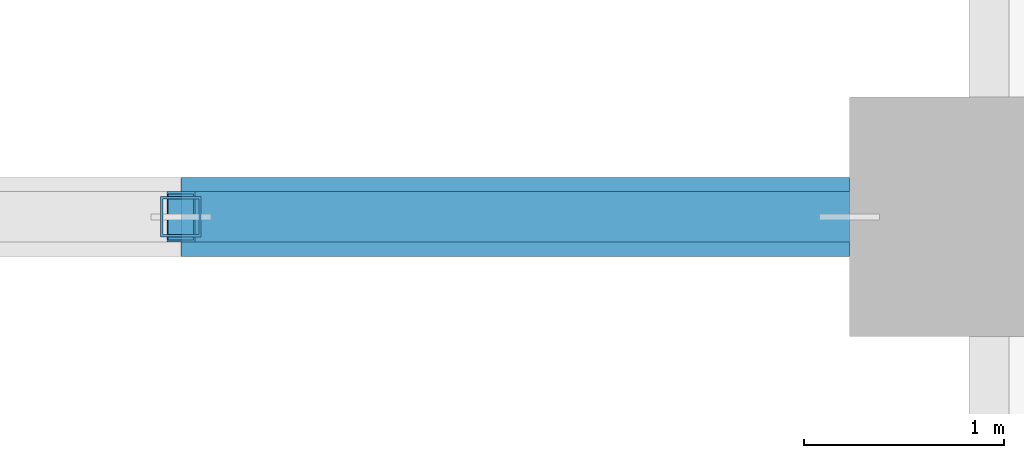
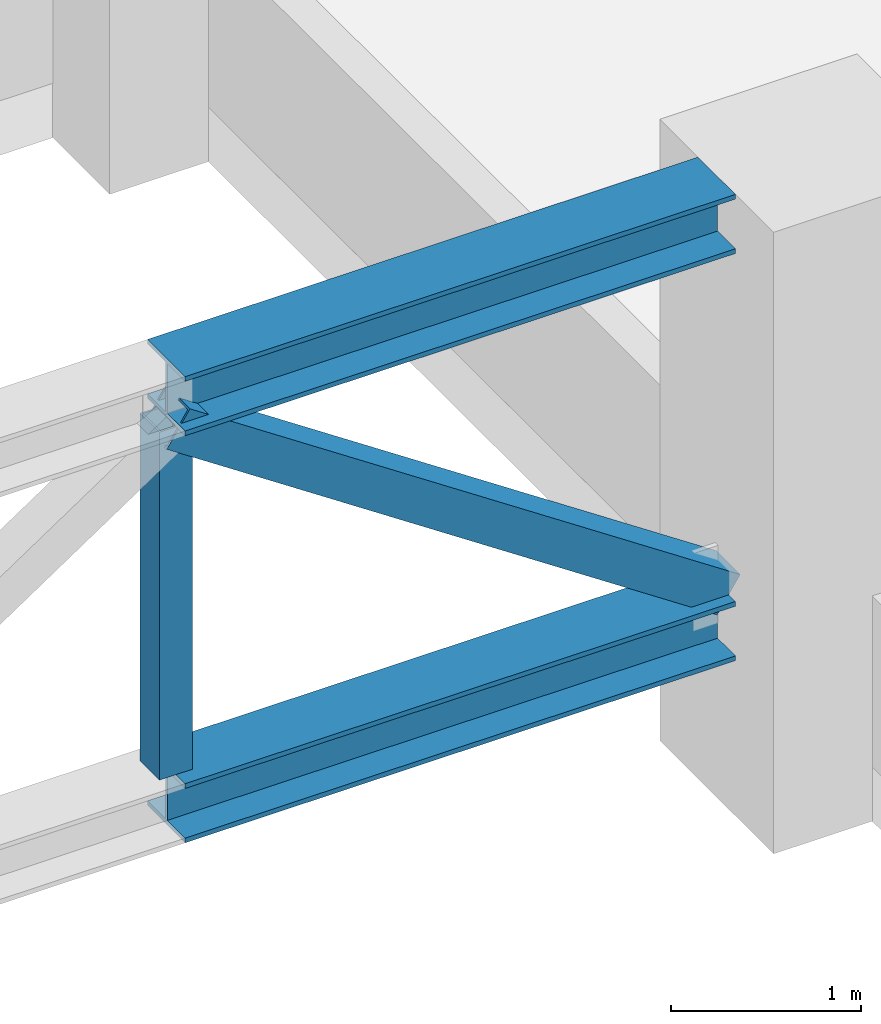
# One storey, part 8 of 24: 4 members.
"""IFC4 building model written with IfcOpenShell, lengths in metres."""

import ifcopenshell
import ifcopenshell.guid

model = None  # the IFC model being written
_history = None  # IfcOwnerHistory: only IFC2X3 demands one
_inside = {}  # id of a spatial element -> (the spatial element, [elements in it])
_under = {}  # id of a project, library or spatial element -> (it, [spatial elements below it])
_declared = {}  # id of a project -> (the project, [libraries it declares])
_typed = {}  # id of a type object -> (the type object, [elements of that type])
_made_of = {}  # id of a material, layer set ... -> (it, [elements and type objects made of it])


def new_model(schema):
    """Start an empty IFC model of exactly this schema.

    Asked for "IFC4X3", IfcOpenShell would pick the latest addendum, in which some entities
    have other attributes; the version numbers below select the first issue.
    IFC2X3 requires an IfcOwnerHistory on every rooted entity: one is made here for all.
    """
    global model, _history
    if schema == "IFC4X3":
        model = ifcopenshell.file(schema_version=(4, 3, 0, 0))
    else:
        model = ifcopenshell.file(schema=schema)
    _inside.clear()
    _under.clear()
    _declared.clear()
    _typed.clear()
    _made_of.clear()
    _history = None
    if model.schema == "IFC2X3":
        org = make("IfcOrganization", Name="unknown")
        user = make(
            "IfcPersonAndOrganization",
            ThePerson=make("IfcPerson", FamilyName="unknown"),
            TheOrganization=org,
        )
        app = make(
            "IfcApplication",
            ApplicationDeveloper=org,
            Version="unknown",
            ApplicationFullName="unknown",
            ApplicationIdentifier="unknown",
        )
        _history = make(
            "IfcOwnerHistory",
            OwningUser=user,
            OwningApplication=app,
            ChangeAction="ADDED",
            CreationDate=0,
        )
    return model


def make(cls, **values):
    """One entity of the class cls with the attributes given. An attribute that is None is left unset."""
    return model.create_entity(
        cls, **{name: value for name, value in values.items() if value is not None}
    )


def rooted(cls, **values):
    """An entity with a GlobalId (a new one), such as an element, a storey or a relation."""
    return make(cls, GlobalId=ifcopenshell.guid.new(), OwnerHistory=_history, **values)


def si_unit(unit_type, name, prefix=None):
    """IfcSIUnit, for example si_unit("LENGTHUNIT", "METRE", prefix="MILLI")."""
    return make("IfcSIUnit", UnitType=unit_type, Prefix=prefix, Name=name)


def assignment(units):
    """IfcUnitAssignment: the units of a project."""
    return None if units is None else make("IfcUnitAssignment", Units=units)


def point(xyz):
    """IfcCartesianPoint."""
    return None if xyz is None else make("IfcCartesianPoint", Coordinates=xyz)


def direction(xyz):
    """IfcDirection."""
    return None if xyz is None else make("IfcDirection", DirectionRatios=xyz)


def frame(location, z_axis=None, x_axis=None):
    """IfcAxis2Placement3D, a coordinate frame: its origin and axes. An axis left out is left unset."""
    return make(
        "IfcAxis2Placement3D",
        Location=point(location),
        Axis=direction(z_axis),
        RefDirection=direction(x_axis),
    )


def frame_2d(location, x_axis=None):
    """IfcAxis2Placement2D, a coordinate frame in the plane: its origin and x axis."""
    return make(
        "IfcAxis2Placement2D", Location=point(location), RefDirection=direction(x_axis)
    )


def origin():
    """The frame at (0, 0, 0) with its axes left unset."""
    return frame((0.0, 0.0, 0.0))


def origin_2d():
    """The frame at (0, 0) in the plane with its x axis left unset."""
    return frame_2d((0.0, 0.0))


def place(relative_to, where):
    """IfcLocalPlacement: puts the frame where relative to a parent placement (None: the world)."""
    return make(
        "IfcLocalPlacement", PlacementRelTo=relative_to, RelativePlacement=where
    )


def context(
    kind, dimensions, precision=None, world=None, true_north=None, identifier=None
):
    """IfcGeometricRepresentationContext, for example the 3D "Model" context."""
    return make(
        "IfcGeometricRepresentationContext",
        ContextIdentifier=identifier,
        ContextType=kind,
        CoordinateSpaceDimension=dimensions,
        Precision=precision,
        WorldCoordinateSystem=world,
        TrueNorth=true_north,
    )


def subcontext(parent, identifier, kind, view, scale=None):
    """IfcGeometricRepresentationSubContext, for example "Body" below "Model"."""
    return make(
        "IfcGeometricRepresentationSubContext",
        ContextIdentifier=identifier,
        ContextType=kind,
        ParentContext=parent,
        TargetScale=scale,
        TargetView=view,
    )


def project(units=None, contexts=None):
    """IfcProject with its units and contexts."""
    return rooted(
        "IfcProject",
        Name="project",
        RepresentationContexts=contexts,
        UnitsInContext=assignment(units),
    )


def spatial(cls, under=None, at=None, **own):
    """A site, building, storey or space (cls), placed at a placement, below another one or the project."""
    s = rooted(cls, ObjectPlacement=at, **own)
    if under is not None:
        _under.setdefault(under.id(), (under, []))[1].append(s)
    return s


def profile(cls, at=None, kind="AREA", **sizes):
    """A parametric profile (cls). Its sizes go by their IFC names, for example OverallWidth=200.0."""
    return make(cls, ProfileType=kind, Position=at, **sizes)


def hollow_rectangle(**sizes):
    """IfcRectangleHollowProfileDef."""
    return profile("IfcRectangleHollowProfileDef", **sizes)


def i_section(**sizes):
    """IfcIShapeProfileDef."""
    return profile("IfcIShapeProfileDef", **sizes)


def extrude(swept, where, along, depth):
    """IfcExtrudedAreaSolid: the profile swept, set in the frame where, extruded along a direction by depth."""
    return make(
        "IfcExtrudedAreaSolid",
        SweptArea=swept,
        Position=where,
        ExtrudedDirection=direction(along),
        Depth=depth,
    )


def shape(context_of_items, identifier, shape_type, items):
    """IfcShapeRepresentation: the items that make up one representation, for example the "Body"."""
    return make(
        "IfcShapeRepresentation",
        ContextOfItems=context_of_items,
        RepresentationIdentifier=identifier,
        RepresentationType=shape_type,
        Items=items,
    )


def material(Name=None, Category=None):
    """IfcMaterial."""
    return make("IfcMaterial", Name=Name, Category=Category)


def material_profile(
    of_material, cross_section, Name=None, Category=None, Priority=None
):
    """IfcMaterialProfile: a cross section and its material."""
    return make(
        "IfcMaterialProfile",
        Name=Name,
        Material=of_material,
        Profile=cross_section,
        Priority=Priority,
        Category=Category,
    )


def profile_set(profiles, Name=None, composite=None):
    """IfcMaterialProfileSet."""
    return make(
        "IfcMaterialProfileSet",
        Name=Name,
        MaterialProfiles=profiles,
        CompositeProfile=composite,
    )


def made_of(thing, what):
    """Note that an element or type object is made of a material, layer set ...; save() writes the relation."""
    if what is not None:
        _made_of.setdefault(what.id(), (what, []))[1].append(thing)
    return thing


def type_object(cls, material=None, **own):
    """A type object (cls), such as IfcWallType, which elements share."""
    return made_of(rooted(cls, **own), material)


def element(
    cls,
    number,
    at=None,
    inside=None,
    cuts=None,
    type_object=None,
    material=None,
    context=None,
    identifier="Body",
    shape_type=None,
    held_by="IfcProductDefinitionShape",
    body=None,
    shapes=None,
    **own,
):
    """One element of the class cls, such as IfcWall. Its Tag is "e" and its number.

    at: its placement. inside: the storey or other place that contains it. cuts: it is an
    opening in that element (IfcRelVoidsElement). A single representation is given by context,
    identifier, shape_type and body (its items); several are given by shapes. held_by: the class
    of the entity that holds the representations. save() writes the other relations.
    """
    e = rooted(cls, Tag="e%d" % number, ObjectPlacement=at, **own)
    if body is not None:
        shapes = [shape(context, identifier, shape_type, body)]
    if shapes is not None:
        e.Representation = make(held_by, Representations=shapes)
    if inside is not None:
        _inside.setdefault(inside.id(), (inside, []))[1].append(e)
    if cuts is not None:
        rooted(
            "IfcRelVoidsElement", RelatingBuildingElement=cuts, RelatedOpeningElement=e
        )
    if type_object is not None:
        _typed.setdefault(type_object.id(), (type_object, []))[1].append(e)
    return made_of(e, material)


def aggregate(whole, parts):
    """IfcRelAggregates: a whole, such as a stair, and the parts it consists of."""
    return rooted("IfcRelAggregates", RelatingObject=whole, RelatedObjects=parts)


def save(model, path):
    """Write the relations noted so far, then the file.

    IfcRelAggregates (storeys below a building ...), IfcRelContainedInSpatialStructure (elements
    in a storey), IfcRelDefinesByType, IfcRelAssociatesMaterial and IfcRelDeclares: one each for
    every whole, place, type object, material and project.
    """
    for whole, parts in _under.values():
        aggregate(whole, parts)
    for where, things in _inside.values():
        rooted(
            "IfcRelContainedInSpatialStructure",
            RelatedElements=things,
            RelatingStructure=where,
        )
    for kind, things in _typed.values():
        rooted("IfcRelDefinesByType", RelatedObjects=things, RelatingType=kind)
    for what, things in _made_of.values():
        rooted("IfcRelAssociatesMaterial", RelatedObjects=things, RelatingMaterial=what)
    for by, libraries in _declared.values():
        rooted("IfcRelDeclares", RelatingContext=by, RelatedDefinitions=libraries)
    model.write(path)


model = new_model("IFC4")

# Units and contexts
model_context = context("Model", 3, precision=1e-05, world=origin(), true_north=direction((0.0, 1.0)))
body_context = subcontext(model_context, "Body", "Model", "MODEL_VIEW")
ifc_project = project(units=[si_unit("LENGTHUNIT", "METRE"), si_unit("AREAUNIT", "SQUARE_METRE"), si_unit("VOLUMEUNIT", "CUBIC_METRE"), si_unit("PLANEANGLEUNIT", "RADIAN"), si_unit("MASSUNIT", "GRAM", prefix="KILO")], contexts=[model_context])

# Site, building, storey
site_placement = place(None, origin())
site = spatial("IfcSite", under=ifc_project, at=site_placement, CompositionType="ELEMENT")
building_placement = place(site_placement, origin())
building = spatial("IfcBuilding", under=site, at=building_placement, Name="Ostrander Bayou Hotel Tower", CompositionType="ELEMENT")
storey_placement = place(building_placement, frame((0.0, 0.0, 6.0)))
storey = spatial("IfcBuildingStorey", under=building, at=storey_placement, Name="L01", CompositionType="ELEMENT", Elevation=6.0)

# Members
ifc_material_1 = material(Name="Steel ASTM A992", Category="steel")
ifc_material_profile_1 = material_profile(ifc_material_1, i_section(OverallWidth=0.3955078125, OverallDepth=0.38037109375, WebThickness=0.01904296875, FlangeThickness=0.0302734375, at=origin_2d()))
ifc_profile_set_1 = profile_set([ifc_material_profile_1], Name="Steel ASTM A992")
member_type_1 = type_object("IfcMemberType", Name="BR1 ballroom truss chord W14x159", PredefinedType="CHORD", material=ifc_profile_set_1)
for number, where, z_axis, x_axis, name in (
    (1, (-17.949951171875, -36.39990234375, 0.840087890625), (1.0, 0.0, 0.0), (0.0, 1.0, 0.0), "BR1 T2 B8"),
    (2, (-17.949951171875, -36.39990234375, 3.459716796875), (1.0, 0.0, 0.0), (0.0, 1.0, 0.0), "BR1 T2 T8"),
):
    element("IfcMember", number, at=place(storey_placement, frame(where, z_axis=z_axis, x_axis=x_axis)), inside=storey, type_object=member_type_1, Name=name, PredefinedType="CHORD", context=body_context, shape_type="SweptSolid", body=[
        extrude(i_section(OverallWidth=0.3955078125, OverallDepth=0.38037109375, WebThickness=0.01904296875, FlangeThickness=0.0302734375, at=origin_2d()), origin(), (0.0, 0.0, 1.0), 3.349853515625),
    ])
ifc_material_2 = material(Name="Steel ASTM A500 Gr C", Category="steel")
ifc_material_profile_2 = material_profile(ifc_material_2, hollow_rectangle(XDim=0.25390625, YDim=0.25390625, WallThickness=0.01171875, at=origin_2d()))
ifc_profile_set_2 = profile_set([ifc_material_profile_2], Name="Steel ASTM A500 Gr C")
member_type_2 = type_object("IfcMemberType", Name="BR2 ballroom truss diagonal HSS10x10x1/2", PredefinedType="BRACE", material=ifc_profile_set_2)
member_1_placement = place(storey_placement, frame((-14.60009765625, -36.39990234375, 1.030517578125), z_axis=(-0.831387846986, 0.0, 0.555692583974), x_axis=(0.0, -1.0, 0.0)))
element("IfcMember", 3, at=member_1_placement, inside=storey, type_object=member_type_2, Name="BR2 T2 D8", PredefinedType="BRACE", context=body_context, shape_type="SweptSolid", body=[
    extrude(hollow_rectangle(XDim=0.25390625, YDim=0.25390625, WallThickness=0.01171875, at=origin_2d()), origin(), (0.0, 0.0, 1.0), 4.029296875),
])
ifc_material_3 = material(Name="Steel ASTM A500 Gr C", Category="steel")
ifc_material_profile_3 = material_profile(ifc_material_3, hollow_rectangle(XDim=0.203125, YDim=0.203125, WallThickness=0.01171875, at=origin_2d()))
ifc_profile_set_3 = profile_set([ifc_material_profile_3], Name="Steel ASTM A500 Gr C")
member_type_3 = type_object("IfcMemberType", Name="BR3 ballroom truss post HSS8x8x1/2", PredefinedType="POST", material=ifc_profile_set_3)
member_2_placement = place(storey_placement, frame((-17.949951171875, -36.39990234375, 1.030517578125), z_axis=(0.0, 0.0, 1.0), x_axis=(1.0, 0.0, 0.0)))
element("IfcMember", 4, at=member_2_placement, inside=storey, type_object=member_type_3, Name="BR3 T2 P7", PredefinedType="POST", context=body_context, shape_type="SweptSolid", body=[
    extrude(hollow_rectangle(XDim=0.203125, YDim=0.203125, WallThickness=0.01171875, at=origin_2d()), origin(), (0.0, 0.0, 1.0), 2.239013671875),
])

save(model, "model.ifc")
